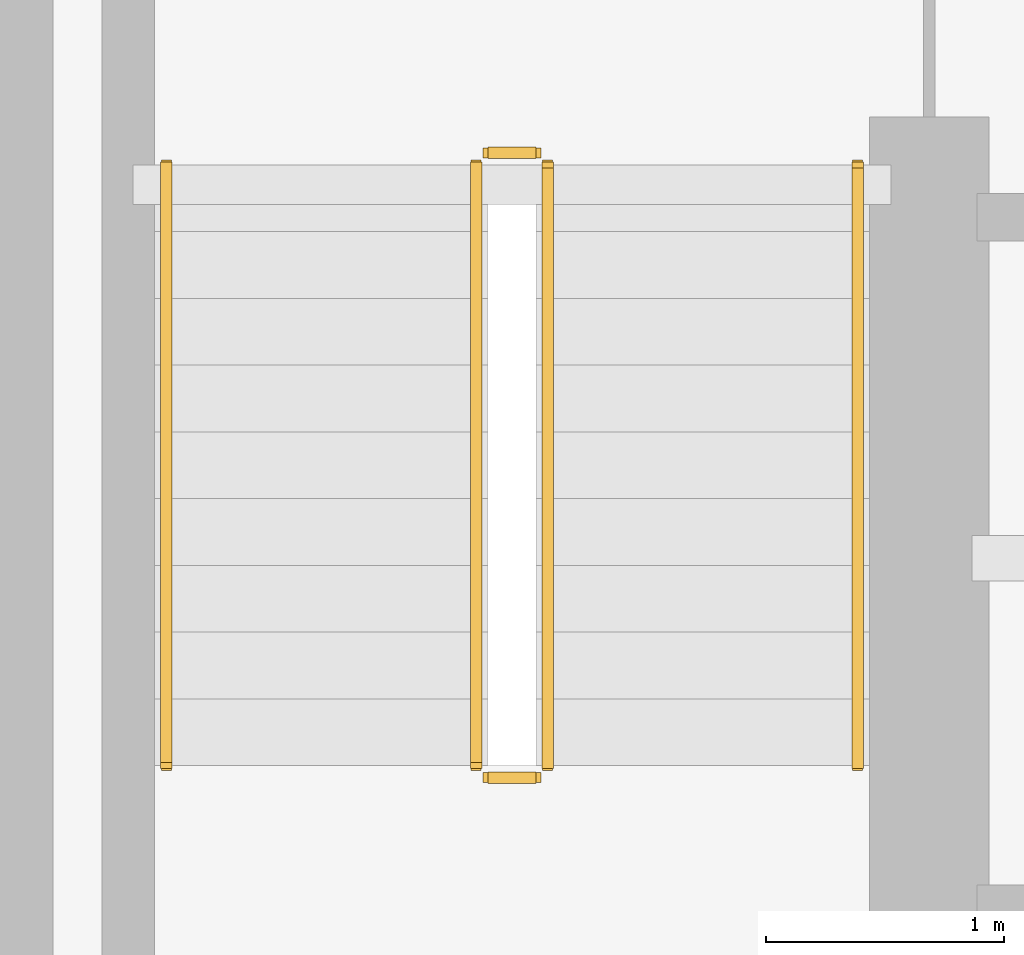
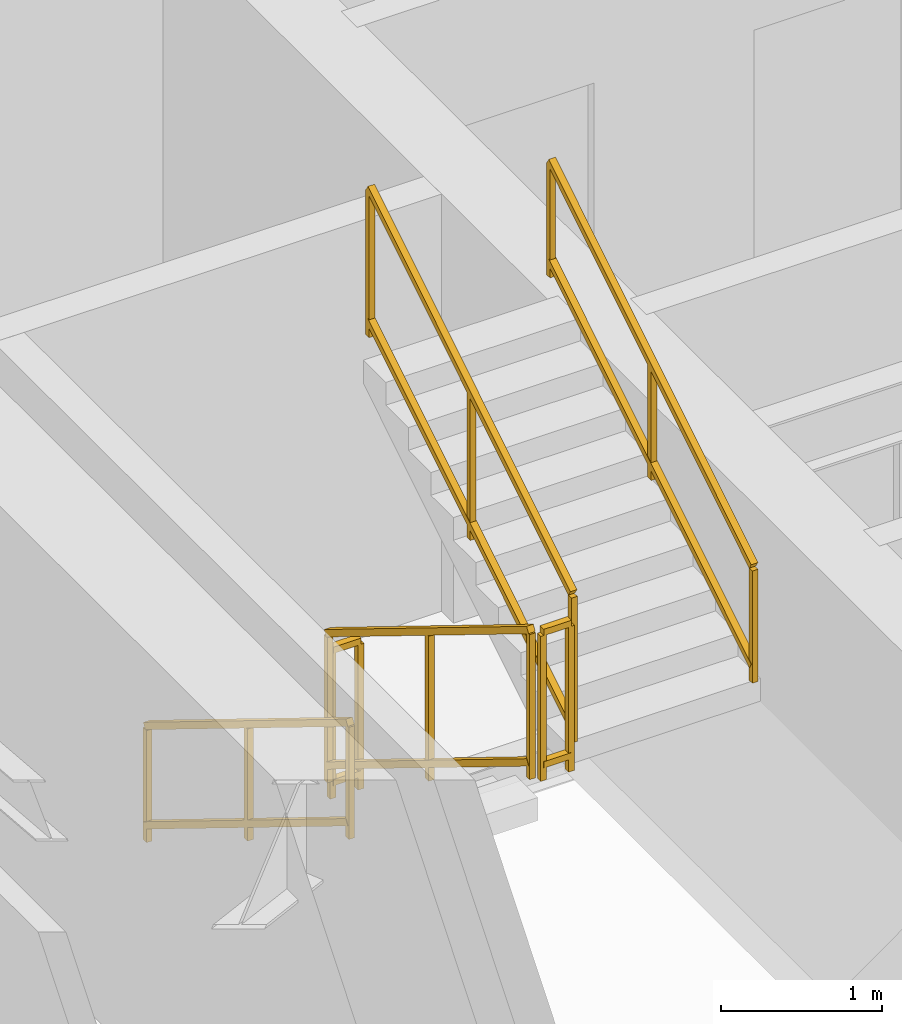
# One storey, part 28 of 31: 6 railings.
"""IFC4 building model written with IfcOpenShell, lengths in metres."""

from ifc_helpers import new_model, si_unit, direction, frame, origin, origin_2d, place, context, subcontext, project, spatial, rectangle, extrude, material, type_object, element, save


model = new_model("IFC4")

# Units and contexts
model_context = context("Model", 3, precision=1e-05, world=origin(), true_north=direction((0.0, 1.0)))
body_context = subcontext(model_context, "Body", "Model", "MODEL_VIEW")
ifc_project = project(units=[si_unit("LENGTHUNIT", "METRE"), si_unit("AREAUNIT", "SQUARE_METRE"), si_unit("VOLUMEUNIT", "CUBIC_METRE"), si_unit("PLANEANGLEUNIT", "RADIAN"), si_unit("MASSUNIT", "GRAM", prefix="KILO")], contexts=[model_context])

# Site, building, storey
site_placement = place(None, origin())
site = spatial("IfcSite", under=ifc_project, at=site_placement, CompositionType="ELEMENT")
building_placement = place(site_placement, origin())
building = spatial("IfcBuilding", under=site, at=building_placement, Name="Qarnah Convention Tower", CompositionType="ELEMENT")
storey_placement = place(building_placement, frame((0.0, 0.0, 33.89990234375)))
storey = spatial("IfcBuildingStorey", under=building, at=storey_placement, Name="L07", CompositionType="ELEMENT", Elevation=33.89990234375)

# Railings
ifc_material = material(Name="Structural steel S355JR", Category="steel")
railing_type_1 = type_object("IfcRailingType", Name="RL-STAIR-GUARD-1150", PredefinedType="GUARDRAIL", material=ifc_material)
railing_1_placement = place(storey_placement, frame((28.89990234375, 25.300048828125, 0.172607421875)))
element("IfcRailing", 1, at=railing_1_placement, inside=storey, type_object=railing_type_1, Name="L07 ST-1 stair guard 1", PredefinedType="GUARDRAIL", context=body_context, shape_type="SweptSolid", body=[
    extrude(rectangle(XDim=0.048095703125, YDim=0.048095703125, at=origin_2d()), frame((0.0, 0.0, 1.1259765625), z_axis=(0.0, -0.851400495292, 0.524516154772), x_axis=(1.0, 0.0, 0.0)), (0.0, 0.0, 1.0), 2.9599609375),
    extrude(rectangle(XDim=0.048095703125, YDim=0.048095703125, at=origin_2d()), frame((0.0, 0.0, 0.1201171875), z_axis=(0.0, -0.851400495292, 0.524516154772), x_axis=(1.0, 0.0, 0.0)), (0.0, 0.0, 1.0), 2.9599609375),
    extrude(rectangle(XDim=0.0419921875, YDim=0.0419921875, at=origin_2d()), origin(), (0.0, 0.0, 1.0), 1.101806640625),
    extrude(rectangle(XDim=0.0419921875, YDim=0.0419921875, at=origin_2d()), frame((0.0, -1.260009765625, 0.7763671875)), (0.0, 0.0, 1.0), 1.101806640625),
    extrude(rectangle(XDim=0.0419921875, YDim=0.0419921875, at=origin_2d()), frame((0.0, -2.52001953125, 1.552490234375)), (0.0, 0.0, 1.0), 1.101806640625),
])
railing_2_placement = place(storey_placement, frame((28.949951171875, 22.72998046875, 1.72509765625)))
element("IfcRailing", 2, at=railing_2_placement, inside=storey, type_object=railing_type_1, Name="L07 ST-1 stair guard 2", PredefinedType="GUARDRAIL", context=body_context, shape_type="SweptSolid", body=[
    extrude(rectangle(XDim=0.048095703125, YDim=0.048095703125, at=origin_2d()), frame((0.0, 0.0, 1.1259765625), z_axis=(1.0, 0.0, 0.0), x_axis=(0.0, 1.0, 0.0)), (0.0, 0.0, 1.0), 0.199951171875),
    extrude(rectangle(XDim=0.048095703125, YDim=0.048095703125, at=origin_2d()), frame((0.0, 0.0, 0.1201171875), z_axis=(1.0, 0.0, 0.0), x_axis=(0.0, 1.0, 0.0)), (0.0, 0.0, 1.0), 0.199951171875),
    extrude(rectangle(XDim=0.0419921875, YDim=0.0419921875, at=origin_2d()), origin(), (0.0, 0.0, 1.0), 1.101806640625),
    extrude(rectangle(XDim=0.0419921875, YDim=0.0419921875, at=origin_2d()), frame((0.199951171875, 0.0, 0.0)), (0.0, 0.0, 1.0), 1.101806640625),
])
railing_3_placement = place(storey_placement, frame((29.199951171875, 22.780029296875, 1.897705078125)))
element("IfcRailing", 3, at=railing_3_placement, inside=storey, type_object=railing_type_1, Name="L07 ST-1 stair guard 3", PredefinedType="GUARDRAIL", context=body_context, shape_type="SweptSolid", body=[
    extrude(rectangle(XDim=0.048095703125, YDim=0.048095703125, at=origin_2d()), frame((0.0, 0.0, 1.1259765625), z_axis=(0.0, 0.851400495292, 0.524516154772), x_axis=(-1.0, 0.0, 0.0)), (0.0, 0.0, 1.0), 2.9599609375),
    extrude(rectangle(XDim=0.048095703125, YDim=0.048095703125, at=origin_2d()), frame((0.0, 0.0, 0.1201171875), z_axis=(0.0, 0.851400495292, 0.524516154772), x_axis=(-1.0, 0.0, 0.0)), (0.0, 0.0, 1.0), 2.9599609375),
    extrude(rectangle(XDim=0.0419921875, YDim=0.0419921875, at=origin_2d()), origin(), (0.0, 0.0, 1.0), 1.101806640625),
    extrude(rectangle(XDim=0.0419921875, YDim=0.0419921875, at=origin_2d()), frame((0.0, 1.260009765625, 0.7763671875)), (0.0, 0.0, 1.0), 1.101806640625),
    extrude(rectangle(XDim=0.0419921875, YDim=0.0419921875, at=origin_2d()), frame((0.0, 2.52001953125, 1.552490234375)), (0.0, 0.0, 1.0), 1.101806640625),
])
railing_4_placement = place(storey_placement, frame((28.949951171875, 25.35009765625, 0.0)))
element("IfcRailing", 4, at=railing_4_placement, inside=storey, type_object=railing_type_1, Name="L07 ST-1 stair guard 4", PredefinedType="GUARDRAIL", context=body_context, shape_type="SweptSolid", body=[
    extrude(rectangle(XDim=0.048095703125, YDim=0.048095703125, at=origin_2d()), frame((0.0, 0.0, 1.1259765625), z_axis=(1.0, 0.0, 0.0), x_axis=(0.0, 1.0, 0.0)), (0.0, 0.0, 1.0), 0.199951171875),
    extrude(rectangle(XDim=0.048095703125, YDim=0.048095703125, at=origin_2d()), frame((0.0, 0.0, 0.1201171875), z_axis=(1.0, 0.0, 0.0), x_axis=(0.0, 1.0, 0.0)), (0.0, 0.0, 1.0), 0.199951171875),
    extrude(rectangle(XDim=0.0419921875, YDim=0.0419921875, at=origin_2d()), origin(), (0.0, 0.0, 1.0), 1.101806640625),
    extrude(rectangle(XDim=0.0419921875, YDim=0.0419921875, at=origin_2d()), frame((0.199951171875, 0.0, 0.0)), (0.0, 0.0, 1.0), 1.101806640625),
])
railing_type_2 = type_object("IfcRailingType", Name="RL-STAIR-HAND-900", PredefinedType="HANDRAIL", material=ifc_material)
railing_5_placement = place(storey_placement, frame((27.60009765625, 25.300048828125, 0.172607421875)))
element("IfcRailing", 5, at=railing_5_placement, inside=storey, type_object=railing_type_2, Name="L07 ST-1 stair handrail 1", PredefinedType="HANDRAIL", context=body_context, shape_type="SweptSolid", body=[
    extrude(rectangle(XDim=0.048095703125, YDim=0.048095703125, at=origin_2d()), frame((0.0, 0.0, 0.8759765625), z_axis=(0.0, -0.851400495292, 0.524516154772), x_axis=(1.0, 0.0, 0.0)), (0.0, 0.0, 1.0), 2.9599609375),
    extrude(rectangle(XDim=0.048095703125, YDim=0.048095703125, at=origin_2d()), frame((0.0, 0.0, 0.1201171875), z_axis=(0.0, -0.851400495292, 0.524516154772), x_axis=(1.0, 0.0, 0.0)), (0.0, 0.0, 1.0), 2.9599609375),
    extrude(rectangle(XDim=0.0419921875, YDim=0.0419921875, at=origin_2d()), origin(), (0.0, 0.0, 1.0), 0.851806640625),
    extrude(rectangle(XDim=0.0419921875, YDim=0.0419921875, at=origin_2d()), frame((0.0, -1.260009765625, 0.7763671875)), (0.0, 0.0, 1.0), 0.851806640625),
    extrude(rectangle(XDim=0.0419921875, YDim=0.0419921875, at=origin_2d()), frame((0.0, -2.52001953125, 1.552490234375)), (0.0, 0.0, 1.0), 0.851806640625),
])
railing_6_placement = place(storey_placement, frame((30.5, 22.780029296875, 1.897705078125)))
element("IfcRailing", 6, at=railing_6_placement, inside=storey, type_object=railing_type_2, Name="L07 ST-1 stair handrail 2", PredefinedType="HANDRAIL", context=body_context, shape_type="SweptSolid", body=[
    extrude(rectangle(XDim=0.048095703125, YDim=0.048095703125, at=origin_2d()), frame((0.0, 0.0, 0.8759765625), z_axis=(0.0, 0.851400495292, 0.524516154772), x_axis=(-1.0, 0.0, 0.0)), (0.0, 0.0, 1.0), 2.9599609375),
    extrude(rectangle(XDim=0.048095703125, YDim=0.048095703125, at=origin_2d()), frame((0.0, 0.0, 0.1201171875), z_axis=(0.0, 0.851400495292, 0.524516154772), x_axis=(-1.0, 0.0, 0.0)), (0.0, 0.0, 1.0), 2.9599609375),
    extrude(rectangle(XDim=0.0419921875, YDim=0.0419921875, at=origin_2d()), origin(), (0.0, 0.0, 1.0), 0.851806640625),
    extrude(rectangle(XDim=0.0419921875, YDim=0.0419921875, at=origin_2d()), frame((0.0, 1.260009765625, 0.7763671875)), (0.0, 0.0, 1.0), 0.851806640625),
    extrude(rectangle(XDim=0.0419921875, YDim=0.0419921875, at=origin_2d()), frame((0.0, 2.52001953125, 1.552490234375)), (0.0, 0.0, 1.0), 0.851806640625),
])

save(model, "model.ifc")
